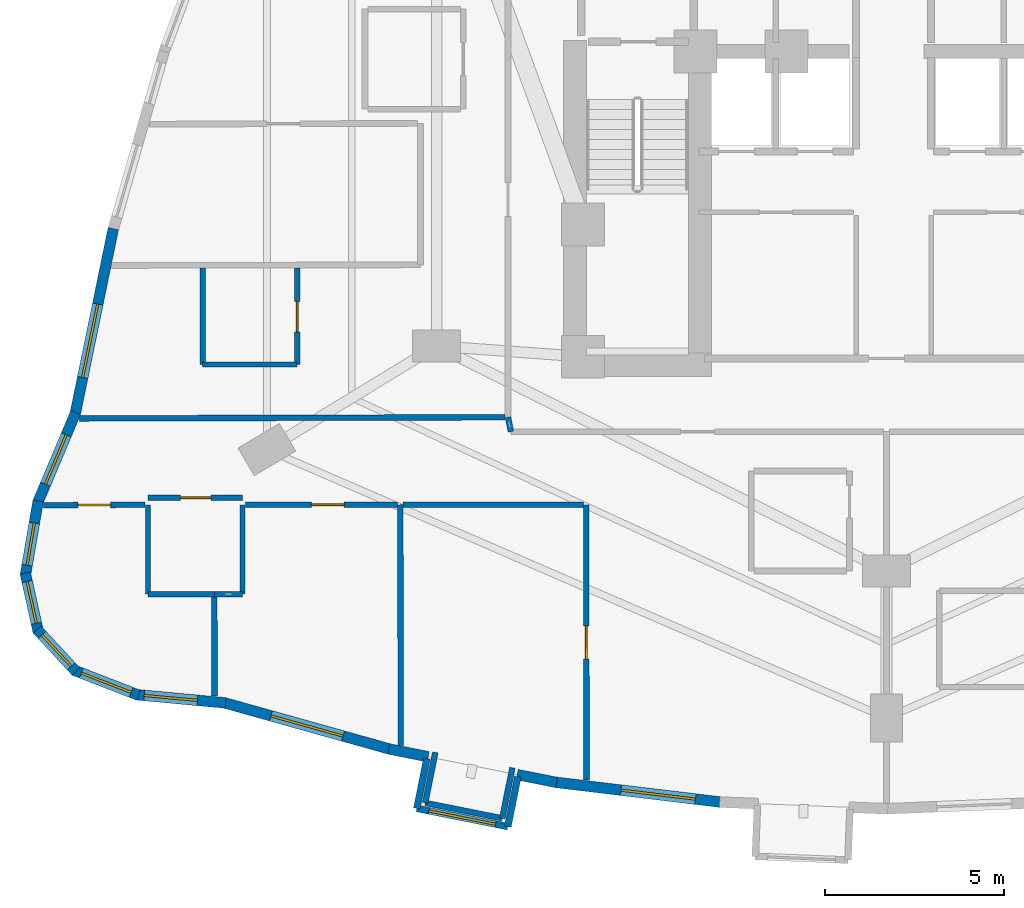
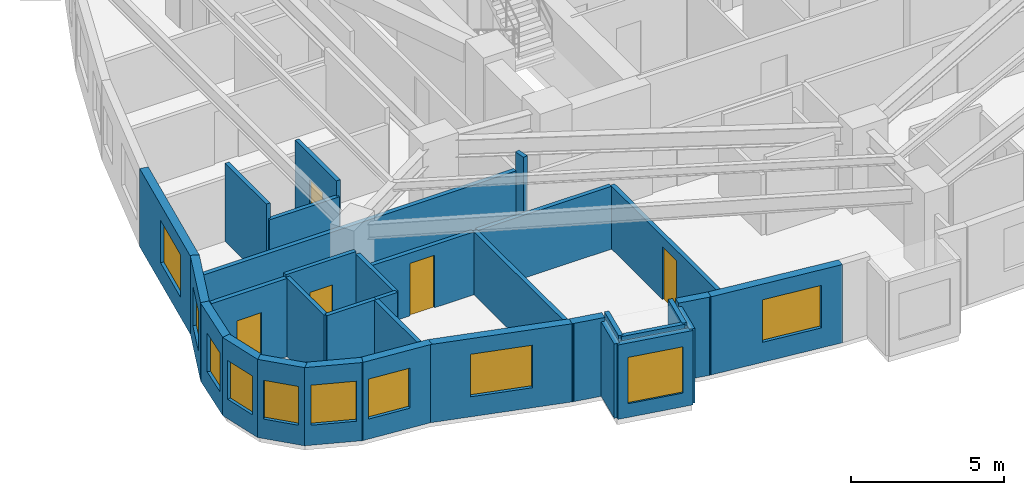
# One storey, part 8 of 15: 33 walls, 10 windows, 5 doors, 15 openings.
"""IFC4 building model written with IfcOpenShell, lengths in metres."""

from ifc_helpers import new_model, si_unit, direction, frame, frame_2d, origin, place, context, subcontext, project, spatial, rectangle, extrude, material, layer, layer_set, type_object, element, fill, save


model = new_model("IFC4")

# Units and contexts
model_context = context("Model", 3, precision=1e-05, world=origin(), true_north=direction((0.0, 1.0)))
body_context = subcontext(model_context, "Body", "Model", "MODEL_VIEW")
ifc_project = project(units=[si_unit("LENGTHUNIT", "METRE"), si_unit("AREAUNIT", "SQUARE_METRE"), si_unit("VOLUMEUNIT", "CUBIC_METRE"), si_unit("PLANEANGLEUNIT", "RADIAN"), si_unit("MASSUNIT", "GRAM", prefix="KILO")], contexts=[model_context])

# Site, building, storey
site_placement = place(None, origin())
site = spatial("IfcSite", under=ifc_project, at=site_placement, CompositionType="ELEMENT")
building_placement = place(site_placement, origin())
building = spatial("IfcBuilding", under=site, at=building_placement, Name="Miruveldt Soraemaru", CompositionType="ELEMENT")
storey_placement = place(building_placement, frame((0.0, 0.0, 83.60009765625)))
storey = spatial("IfcBuildingStorey", under=building, at=storey_placement, Name="L23", CompositionType="ELEMENT", Elevation=83.60009765625)

# Walls
ifc_material_1 = material(Name="White powder-coated aluminium EN AW-6060 T6", Category="aluminium")
ifc_layer_1 = layer(ifc_material_1, 0.18994140625, Name="White powder-coated aluminium EN AW-6060 T6", Category="aluminium")
ifc_layer_set_1 = layer_set([ifc_layer_1], Name="White powder-coated aluminium EN AW-6060 T6")
wall_type_1 = type_object("IfcWallType", Name="WALL-BAY-ALU190", PredefinedType="SOLIDWALL", material=ifc_layer_set_1)
for number, where, z_axis, x_axis, name in (
    (1, (31.123779296875, 24.244384765625, 0.0), (0.0, 0.0, 1.0), (-0.196182033934, -0.980567493629, 0.0), "L23 Bay Window Side Cheek 1L"),
    (2, (33.393798828125, 22.33740234375, 0.0), (0.0, 0.0, 1.0), (0.196017281962, 0.980600441144, 0.0), "L23 Bay Window Side Cheek 1R"),
):
    element("IfcWall", number, at=place(storey_placement, frame(where, z_axis=z_axis, x_axis=x_axis)), inside=storey, type_object=wall_type_1, Name=name, PredefinedType="SOLIDWALL", context=body_context, shape_type="SweptSolid", body=[
        extrude(rectangle(XDim=1.4248046875, YDim=0.18994140625, at=frame_2d((0.71240234375, 0.0))), origin(), (0.0, 0.0, 1.0), 2.974853515625),
    ])

# Wall, opening, window
wall_1_placement = place(storey_placement, frame((30.84423828125, 22.84716796875, 0.0), z_axis=(0.0, 0.0, 1.0), x_axis=(0.980591508741, -0.196061962104, 0.0)))
wall_1 = element("IfcWall", 3, at=wall_1_placement, inside=storey, type_object=wall_type_1, Name="L23 Bay Window Front Frame 1", PredefinedType="SOLIDWALL", context=body_context, shape_type="SweptSolid", body=[
    extrude(rectangle(XDim=2.60009765625, YDim=0.18994140625, at=frame_2d((1.300048828125, 0.0))), origin(), (0.0, 0.0, 1.0), 2.974853515625),
])
opening_1_placement = place(wall_1_placement, frame((0.35009765625, 0.0, 0.550048828125)))
opening_1 = element("IfcOpeningElement", 4, at=opening_1_placement, cuts=wall_1, Name="Opening WN-6", PredefinedType="OPENING", context=body_context, shape_type="SweptSolid", body=[
    extrude(rectangle(XDim=1.89990234375, YDim=1.85009765625, at=frame_2d((0.949951171875, 0.925048828125))), frame((0.0, 0.10498046875, 0.0), z_axis=(0.0, -1.0, 0.0), x_axis=(1.0, 0.0, 0.0)), (0.0, 0.0, 1.0), 0.2099609375),
])
ifc_material_2 = material(Name="Triple low-e insulated glazing", Category="glass")
window_type_1 = type_object("IfcWindowType", Name="WIN-BAYW-1900x1850", PartitioningType="SINGLE_PANEL", PredefinedType="WINDOW", material=ifc_material_2)
window_1_placement = place(opening_1_placement, origin())
window_1 = element("IfcWindow", 5, at=window_1_placement, inside=storey, type_object=window_type_1, Name="L23 Projecting Bay Window 1", OverallHeight=1.85009765625, OverallWidth=1.89990234375, PartitioningType="SINGLE_PANEL", PredefinedType="WINDOW", context=body_context, shape_type="SweptSolid", body=[
    extrude(rectangle(XDim=1.89990234375, YDim=1.85009765625, at=frame_2d((0.949951171875, 0.925048828125))), frame((0.0, 0.030029296875, 0.0), z_axis=(0.0, -1.0, 0.0), x_axis=(1.0, 0.0, 0.0)), (0.0, 0.0, 1.0), 0.06005859375),
])
fill(opening_1, window_1)

ifc_material_3 = material(Name="Precast concrete C45/55 (45 MPa)", Category="concrete")
ifc_layer_2 = layer(ifc_material_3, 0.300048828125, Name="Precast concrete C45/55 (45 MPa)", Category="concrete")
ifc_layer_set_2 = layer_set([ifc_layer_2], Name="Precast concrete C45/55 (45 MPa)")
wall_type_2 = type_object("IfcWallType", Name="WALL-EXT-PC300", PredefinedType="SOLIDWALL", material=ifc_layer_set_2)
wall_2_placement = place(storey_placement, frame((22.34326171875, 39.08984375, 0.0), z_axis=(0.0, 0.0, 1.0), x_axis=(-0.20158951894, -0.979470094415, 0.0)))
wall_2 = element("IfcWall", 6, at=wall_2_placement, inside=storey, type_object=wall_type_2, Name="L23 Precast Concrete Facade Wall 14", PredefinedType="SOLIDWALL", context=body_context, shape_type="SweptSolid", body=[
    extrude(rectangle(XDim=5.323974609375, YDim=0.300048828125, at=frame_2d((2.662109375, 0.0))), origin(), (0.0, 0.0, 1.0), 3.125),
])
opening_2_placement = place(wall_2_placement, frame((2.159912109375, 0.0, 0.800048828125)))
opening_2 = element("IfcOpeningElement", 7, at=opening_2_placement, cuts=wall_2, Name="Opening WN-1", PredefinedType="OPENING", context=body_context, shape_type="SweptSolid", body=[
    extrude(rectangle(XDim=2.10009765625, YDim=1.699951171875, at=frame_2d((1.050048828125, 0.85009765625))), frame((0.0, 0.16015625, 0.0), z_axis=(0.0, -1.0, 0.0), x_axis=(1.0, 0.0, 0.0)), (0.0, 0.0, 1.0), 0.320068359375),
])
window_type_2 = type_object("IfcWindowType", Name="WIN-PUNCH-2100x1700", PartitioningType="SINGLE_PANEL", PredefinedType="WINDOW", material=ifc_material_2)
window_2_placement = place(opening_2_placement, origin())
window_2 = element("IfcWindow", 8, at=window_2_placement, inside=storey, type_object=window_type_2, Name="L23 Punched Triple-Glazed Window 14.1", OverallHeight=1.699951171875, OverallWidth=2.10009765625, PartitioningType="SINGLE_PANEL", PredefinedType="WINDOW", context=body_context, shape_type="SweptSolid", body=[
    extrude(rectangle(XDim=2.10009765625, YDim=1.699951171875, at=frame_2d((1.050048828125, 0.85009765625))), frame((0.0, 0.030029296875, 0.0), z_axis=(0.0, -1.0, 0.0), x_axis=(1.0, 0.0, 0.0)), (0.0, 0.0, 1.0), 0.06005859375),
])
fill(opening_2, window_2)

wall_3_placement = place(storey_placement, frame((21.290771484375, 33.941650390625, 0.0), z_axis=(0.0, 0.0, 1.0), x_axis=(-0.38859128496, -0.921410230708, 0.0)))
wall_3 = element("IfcWall", 9, at=wall_3_placement, inside=storey, type_object=wall_type_2, Name="L23 Precast Concrete Facade Wall 15", PredefinedType="SOLIDWALL", context=body_context, shape_type="SweptSolid", body=[
    extrude(rectangle(XDim=2.757568359375, YDim=0.300048828125, at=frame_2d((1.37890625, 0.0))), origin(), (0.0, 0.0, 1.0), 3.125),
])
opening_3_placement = place(wall_3_placement, frame((0.68310546875, 0.0, 0.800048828125)))
opening_3 = element("IfcOpeningElement", 10, at=opening_3_placement, cuts=wall_3, Name="Opening WN-3", PredefinedType="OPENING", context=body_context, shape_type="SweptSolid", body=[
    extrude(rectangle(XDim=1.5, YDim=1.60009765625, at=frame_2d((0.75, 0.800048828125))), frame((0.0, 0.16015625, 0.0), z_axis=(0.0, -1.0, 0.0), x_axis=(1.0, 0.0, 0.0)), (0.0, 0.0, 1.0), 0.320068359375),
])
window_type_3 = type_object("IfcWindowType", Name="WIN-PUNCH-1500x1600", PartitioningType="SINGLE_PANEL", PredefinedType="WINDOW", material=ifc_material_2)
window_3_placement = place(opening_3_placement, origin())
window_3 = element("IfcWindow", 11, at=window_3_placement, inside=storey, type_object=window_type_3, Name="L23 Punched Triple-Glazed Window 15.1", OverallHeight=1.60009765625, OverallWidth=1.5, PartitioningType="SINGLE_PANEL", PredefinedType="WINDOW", context=body_context, shape_type="SweptSolid", body=[
    extrude(rectangle(XDim=1.5, YDim=1.60009765625, at=frame_2d((0.75, 0.800048828125))), frame((0.0, 0.030029296875, 0.0), z_axis=(0.0, -1.0, 0.0), x_axis=(1.0, 0.0, 0.0)), (0.0, 0.0, 1.0), 0.06005859375),
])
fill(opening_3, window_3)

wall_4_placement = place(storey_placement, frame((20.23876953125, 31.4677734375, 0.0), z_axis=(0.0, 0.0, 1.0), x_axis=(-0.169387729848, -0.985549489867, 0.0)))
wall_4 = element("IfcWall", 12, at=wall_4_placement, inside=storey, type_object=wall_type_2, Name="L23 Precast Concrete Facade Wall 16", PredefinedType="SOLIDWALL", context=body_context, shape_type="SweptSolid", body=[
    extrude(rectangle(XDim=2.1259765625, YDim=0.300048828125, at=frame_2d((1.06298828125, 0.0))), origin(), (0.0, 0.0, 1.0), 3.125),
])
opening_4_placement = place(wall_4_placement, frame((0.634033203125, 0.0, 0.780029296875)))
opening_4 = element("IfcOpeningElement", 13, at=opening_4_placement, cuts=wall_4, Name="Opening WN-4", PredefinedType="OPENING", context=body_context, shape_type="SweptSolid", body=[
    extrude(rectangle(XDim=1.199951171875, YDim=1.550048828125, at=frame_2d((0.60009765625, 0.77490234375))), frame((0.0, 0.16015625, 0.0), z_axis=(0.0, -1.0, 0.0), x_axis=(1.0, 0.0, 0.0)), (0.0, 0.0, 1.0), 0.320068359375),
])
window_type_4 = type_object("IfcWindowType", Name="WIN-PUNCH-1200x1550", PartitioningType="SINGLE_PANEL", PredefinedType="WINDOW", material=ifc_material_2)
window_4_placement = place(opening_4_placement, origin())
window_4 = element("IfcWindow", 14, at=window_4_placement, inside=storey, type_object=window_type_4, Name="L23 Punched Triple-Glazed Window 16.1", OverallHeight=1.550048828125, OverallWidth=1.199951171875, PartitioningType="SINGLE_PANEL", PredefinedType="WINDOW", context=body_context, shape_type="SweptSolid", body=[
    extrude(rectangle(XDim=1.199951171875, YDim=1.550048828125, at=frame_2d((0.60009765625, 0.77490234375))), frame((0.0, 0.030029296875, 0.0), z_axis=(0.0, -1.0, 0.0), x_axis=(1.0, 0.0, 0.0)), (0.0, 0.0, 1.0), 0.06005859375),
])
fill(opening_4, window_4)

wall_5_placement = place(storey_placement, frame((19.876953125, 29.44140625, 0.0), z_axis=(0.0, 0.0, 1.0), x_axis=(0.215871143304, -0.976421860411, 0.0)))
wall_5 = element("IfcWall", 15, at=wall_5_placement, inside=storey, type_object=wall_type_2, Name="L23 Precast Concrete Facade Wall 17", PredefinedType="SOLIDWALL", context=body_context, shape_type="SweptSolid", body=[
    extrude(rectangle(XDim=1.68408203125, YDim=0.300048828125, at=frame_2d((0.842041015625, 0.0))), origin(), (0.0, 0.0, 1.0), 3.125),
])
opening_5_placement = place(wall_5_placement, frame((0.241943359375, 0.0, 0.780029296875)))
opening_5 = element("IfcOpeningElement", 16, at=opening_5_placement, cuts=wall_5, Name="Opening WN-4", PredefinedType="OPENING", context=body_context, shape_type="SweptSolid", body=[
    extrude(rectangle(XDim=1.199951171875, YDim=1.550048828125, at=frame_2d((0.60009765625, 0.77490234375))), frame((0.0, 0.16015625, 0.0), z_axis=(0.0, -1.0, 0.0), x_axis=(1.0, 0.0, 0.0)), (0.0, 0.0, 1.0), 0.320068359375),
])
window_5_placement = place(opening_5_placement, origin())
window_5 = element("IfcWindow", 17, at=window_5_placement, inside=storey, type_object=window_type_4, Name="L23 Punched Triple-Glazed Window 17.1", OverallHeight=1.550048828125, OverallWidth=1.199951171875, PartitioningType="SINGLE_PANEL", PredefinedType="WINDOW", context=body_context, shape_type="SweptSolid", body=[
    extrude(rectangle(XDim=1.199951171875, YDim=1.550048828125, at=frame_2d((0.60009765625, 0.77490234375))), frame((0.0, 0.030029296875, 0.0), z_axis=(0.0, -1.0, 0.0), x_axis=(1.0, 0.0, 0.0)), (0.0, 0.0, 1.0), 0.06005859375),
])
fill(opening_5, window_5)

wall_6_placement = place(storey_placement, frame((20.208984375, 27.85693359375, 0.0), z_axis=(0.0, 0.0, 1.0), x_axis=(0.680153593671, -0.733069634493, 0.0)))
wall_6 = element("IfcWall", 18, at=wall_6_placement, inside=storey, type_object=wall_type_2, Name="L23 Precast Concrete Facade Wall 18", PredefinedType="SOLIDWALL", context=body_context, shape_type="SweptSolid", body=[
    extrude(rectangle(XDim=1.60546875, YDim=0.300048828125, at=frame_2d((0.802734375, 0.0))), origin(), (0.0, 0.0, 1.0), 3.125),
])
opening_6_placement = place(wall_6_placement, frame((0.202880859375, 0.0, 0.780029296875)))
opening_6 = element("IfcOpeningElement", 19, at=opening_6_placement, cuts=wall_6, Name="Opening WN-4", PredefinedType="OPENING", context=body_context, shape_type="SweptSolid", body=[
    extrude(rectangle(XDim=1.199951171875, YDim=1.550048828125, at=frame_2d((0.60009765625, 0.77490234375))), frame((0.0, 0.16015625, 0.0), z_axis=(0.0, -1.0, 0.0), x_axis=(1.0, 0.0, 0.0)), (0.0, 0.0, 1.0), 0.320068359375),
])
window_6_placement = place(opening_6_placement, origin())
window_6 = element("IfcWindow", 20, at=window_6_placement, inside=storey, type_object=window_type_4, Name="L23 Punched Triple-Glazed Window 18.1", OverallHeight=1.550048828125, OverallWidth=1.199951171875, PartitioningType="SINGLE_PANEL", PredefinedType="WINDOW", context=body_context, shape_type="SweptSolid", body=[
    extrude(rectangle(XDim=1.199951171875, YDim=1.550048828125, at=frame_2d((0.60009765625, 0.77490234375))), frame((0.0, 0.030029296875, 0.0), z_axis=(0.0, -1.0, 0.0), x_axis=(1.0, 0.0, 0.0)), (0.0, 0.0, 1.0), 0.06005859375),
])
fill(opening_6, window_6)

wall_7_placement = place(storey_placement, frame((21.24462890625, 26.718505859375, 0.0), z_axis=(0.0, 0.0, 1.0), x_axis=(0.932226848531, -0.36187442971, 0.0)))
wall_7 = element("IfcWall", 21, at=wall_7_placement, inside=storey, type_object=wall_type_2, Name="L23 Precast Concrete Facade Wall 19", PredefinedType="SOLIDWALL", context=body_context, shape_type="SweptSolid", body=[
    extrude(rectangle(XDim=1.93701171875, YDim=0.300048828125, at=frame_2d((0.968505859375, 0.0))), origin(), (0.0, 0.0, 1.0), 3.125),
])
opening_7_placement = place(wall_7_placement, frame((0.218017578125, 0.0, 0.800048828125)))
opening_7 = element("IfcOpeningElement", 22, at=opening_7_placement, cuts=wall_7, Name="Opening WN-3", PredefinedType="OPENING", context=body_context, shape_type="SweptSolid", body=[
    extrude(rectangle(XDim=1.5, YDim=1.60009765625, at=frame_2d((0.75, 0.800048828125))), frame((0.0, 0.16015625, 0.0), z_axis=(0.0, -1.0, 0.0), x_axis=(1.0, 0.0, 0.0)), (0.0, 0.0, 1.0), 0.320068359375),
])
window_7_placement = place(opening_7_placement, origin())
window_7 = element("IfcWindow", 23, at=window_7_placement, inside=storey, type_object=window_type_3, Name="L23 Punched Triple-Glazed Window 19.1", OverallHeight=1.60009765625, OverallWidth=1.5, PartitioningType="SINGLE_PANEL", PredefinedType="WINDOW", context=body_context, shape_type="SweptSolid", body=[
    extrude(rectangle(XDim=1.5, YDim=1.60009765625, at=frame_2d((0.75, 0.800048828125))), frame((0.0, 0.030029296875, 0.0), z_axis=(0.0, -1.0, 0.0), x_axis=(1.0, 0.0, 0.0)), (0.0, 0.0, 1.0), 0.06005859375),
])
fill(opening_7, window_7)

wall_8_placement = place(storey_placement, frame((22.98291015625, 26.03369140625, 0.0), z_axis=(0.0, 0.0, 1.0), x_axis=(0.995756157786, -0.092030833048, 0.0)))
wall_8 = element("IfcWall", 24, at=wall_8_placement, inside=storey, type_object=wall_type_2, Name="L23 Precast Concrete Facade Wall 20", PredefinedType="SOLIDWALL", context=body_context, shape_type="SweptSolid", body=[
    extrude(rectangle(XDim=2.517578125, YDim=0.300048828125, at=frame_2d((1.2587890625, 0.0))), origin(), (0.0, 0.0, 1.0), 3.125),
])
opening_8_placement = place(wall_8_placement, frame((0.22607421875, 0.0, 0.800048828125)))
opening_8 = element("IfcOpeningElement", 25, at=opening_8_placement, cuts=wall_8, Name="Opening WN-3", PredefinedType="OPENING", context=body_context, shape_type="SweptSolid", body=[
    extrude(rectangle(XDim=1.5, YDim=1.60009765625, at=frame_2d((0.75, 0.800048828125))), frame((0.0, 0.16015625, 0.0), z_axis=(0.0, -1.0, 0.0), x_axis=(1.0, 0.0, 0.0)), (0.0, 0.0, 1.0), 0.320068359375),
])
window_8_placement = place(opening_8_placement, origin())
window_8 = element("IfcWindow", 26, at=window_8_placement, inside=storey, type_object=window_type_3, Name="L23 Punched Triple-Glazed Window 20.1", OverallHeight=1.60009765625, OverallWidth=1.5, PartitioningType="SINGLE_PANEL", PredefinedType="WINDOW", context=body_context, shape_type="SweptSolid", body=[
    extrude(rectangle(XDim=1.5, YDim=1.60009765625, at=frame_2d((0.75, 0.800048828125))), frame((0.0, 0.030029296875, 0.0), z_axis=(0.0, -1.0, 0.0), x_axis=(1.0, 0.0, 0.0)), (0.0, 0.0, 1.0), 0.06005859375),
])
fill(opening_8, window_8)

wall_9_placement = place(storey_placement, frame((25.421142578125, 25.814697265625, 0.0), z_axis=(0.0, 0.0, 1.0), x_axis=(0.962970248778, -0.269607677873, 0.0)))
wall_9 = element("IfcWall", 27, at=wall_9_placement, inside=storey, type_object=wall_type_2, Name="L23 Precast Concrete Facade Wall 21", PredefinedType="SOLIDWALL", context=body_context, shape_type="SweptSolid", body=[
    extrude(rectangle(XDim=4.884521484375, YDim=0.300048828125, at=frame_2d((2.4423828125, 0.0))), origin(), (0.0, 0.0, 1.0), 3.125),
])
opening_9_placement = place(wall_9_placement, frame((1.387939453125, 0.0, 0.800048828125)))
opening_9 = element("IfcOpeningElement", 28, at=opening_9_placement, cuts=wall_9, Name="Opening WN-1", PredefinedType="OPENING", context=body_context, shape_type="SweptSolid", body=[
    extrude(rectangle(XDim=2.10009765625, YDim=1.699951171875, at=frame_2d((1.050048828125, 0.85009765625))), frame((0.0, 0.16015625, 0.0), z_axis=(0.0, -1.0, 0.0), x_axis=(1.0, 0.0, 0.0)), (0.0, 0.0, 1.0), 0.320068359375),
])
window_9_placement = place(opening_9_placement, origin())
window_9 = element("IfcWindow", 29, at=window_9_placement, inside=storey, type_object=window_type_2, Name="L23 Punched Triple-Glazed Window 21.1", OverallHeight=1.699951171875, OverallWidth=2.10009765625, PartitioningType="SINGLE_PANEL", PredefinedType="WINDOW", context=body_context, shape_type="SweptSolid", body=[
    extrude(rectangle(XDim=2.10009765625, YDim=1.699951171875, at=frame_2d((1.050048828125, 0.85009765625))), frame((0.0, 0.030029296875, 0.0), z_axis=(0.0, -1.0, 0.0), x_axis=(1.0, 0.0, 0.0)), (0.0, 0.0, 1.0), 0.06005859375),
])
fill(opening_9, window_9)

# Walls
wall_10_placement = place(storey_placement, frame((30.056884765625, 24.513916015625, 0.0), z_axis=(0.0, 0.0, 1.0), x_axis=(0.980572356697, -0.196157725524, 0.0)))
element("IfcWall", 30, at=wall_10_placement, inside=storey, type_object=wall_type_2, Name="L23 Precast Pier Wall 22A", PredefinedType="SOLIDWALL", context=body_context, shape_type="SweptSolid", body=[
    extrude(rectangle(XDim=1.12890625, YDim=0.300048828125, at=frame_2d((0.564453125, 0.0))), origin(), (0.0, 0.0, 1.0), 3.125),
])
wall_11_placement = place(storey_placement, frame((33.654541015625, 23.79443359375, 0.0), z_axis=(0.0, 0.0, 1.0), x_axis=(0.980580675691, -0.196116135138, 0.0)))
element("IfcWall", 31, at=wall_11_placement, inside=storey, type_object=wall_type_2, Name="L23 Precast Pier Wall 22B", PredefinedType="SOLIDWALL", context=body_context, shape_type="SweptSolid", body=[
    extrude(rectangle(XDim=1.129150390625, YDim=0.300048828125, at=frame_2d((0.564453125, 0.0))), origin(), (0.0, 0.0, 1.0), 3.125),
])

# Wall, opening, window
wall_12_placement = place(storey_placement, frame((34.692626953125, 23.583984375, 0.0), z_axis=(0.0, 0.0, 1.0), x_axis=(0.992876838487, -0.119145220618, 0.0)))
wall_12 = element("IfcWall", 32, at=wall_12_placement, inside=storey, type_object=wall_type_2, Name="L23 Precast Concrete Facade Wall 23", PredefinedType="SOLIDWALL", context=body_context, shape_type="SweptSolid", body=[
    extrude(rectangle(XDim=4.739501953125, YDim=0.300048828125, at=frame_2d((2.36962890625, 0.0))), origin(), (0.0, 0.0, 1.0), 3.125),
])
opening_10_placement = place(wall_12_placement, frame((1.885986328125, 0.0, 0.800048828125)))
opening_10 = element("IfcOpeningElement", 33, at=opening_10_placement, cuts=wall_12, Name="Opening WN-1", PredefinedType="OPENING", context=body_context, shape_type="SweptSolid", body=[
    extrude(rectangle(XDim=2.10009765625, YDim=1.699951171875, at=frame_2d((1.050048828125, 0.85009765625))), frame((0.0, 0.16015625, 0.0), z_axis=(0.0, -1.0, 0.0), x_axis=(1.0, 0.0, 0.0)), (0.0, 0.0, 1.0), 0.320068359375),
])
window_10_placement = place(opening_10_placement, origin())
window_10 = element("IfcWindow", 34, at=window_10_placement, inside=storey, type_object=window_type_2, Name="L23 Punched Triple-Glazed Window 23.1", OverallHeight=1.699951171875, OverallWidth=2.10009765625, PartitioningType="SINGLE_PANEL", PredefinedType="WINDOW", context=body_context, shape_type="SweptSolid", body=[
    extrude(rectangle(XDim=2.10009765625, YDim=1.699951171875, at=frame_2d((1.050048828125, 0.85009765625))), frame((0.0, 0.030029296875, 0.0), z_axis=(0.0, -1.0, 0.0), x_axis=(1.0, 0.0, 0.0)), (0.0, 0.0, 1.0), 0.06005859375),
])
fill(opening_10, window_10)

# Wall, opening, door
ifc_material_4 = material(Name="Gypsum plasterboard lining", Category="gypsum")
ifc_layer_3 = layer(ifc_material_4, 0.14990234375, Name="Gypsum plasterboard lining", Category="gypsum")
ifc_layer_set_3 = layer_set([ifc_layer_3], Name="Gypsum plasterboard lining")
wall_type_3 = type_object("IfcWallType", Name="WALL-INT-PLUMB", PredefinedType="PLUMBINGWALL", material=ifc_layer_set_3)
wall_13_placement = place(storey_placement, frame((27.4951171875, 35.283935546875, 0.0), z_axis=(0.0, 0.0, 1.0), x_axis=(0.0, 1.0, 0.0)))
wall_13 = element("IfcWall", 35, at=wall_13_placement, inside=storey, type_object=wall_type_3, Name="L23 Partition Wall 68", PredefinedType="PLUMBINGWALL", context=body_context, shape_type="SweptSolid", body=[
    extrude(rectangle(XDim=2.699951171875, YDim=0.14990234375, at=frame_2d((1.35009765625, 0.0))), origin(), (0.0, 0.0, 1.0), 3.125),
])
opening_11_placement = place(wall_13_placement, frame((0.909912109375, 0.0, 0.0)))
opening_11 = element("IfcOpeningElement", 36, at=opening_11_placement, cuts=wall_13, Name="Opening FD3", PredefinedType="OPENING", context=body_context, shape_type="SweptSolid", body=[
    extrude(rectangle(XDim=0.85009765625, YDim=2.10009765625, at=frame_2d((0.425048828125, 1.050048828125))), frame((0.0, 0.0849609375, 0.0), z_axis=(0.0, -1.0, 0.0), x_axis=(1.0, 0.0, 0.0)), (0.0, 0.0, 1.0), 0.169921875),
])
ifc_material_5 = material(Name="Anodised aluminium EN AW-6063 T6", Category="aluminium")
door_type_1 = type_object("IfcDoorType", Name="DOOR-FD3-850", OperationType="NOTDEFINED", PredefinedType="DOOR", material=ifc_material_5)
door_1_placement = place(opening_11_placement, origin())
door_1 = element("IfcDoor", 37, at=door_1_placement, inside=storey, type_object=door_type_1, Name="L23 Unit 2306 BTH Door", OperationType="SINGLE_SWING_LEFT", OverallHeight=2.10009765625, OverallWidth=0.85009765625, PredefinedType="DOOR", context=body_context, shape_type="SweptSolid", body=[
    extrude(rectangle(XDim=0.85009765625, YDim=2.10009765625, at=frame_2d((0.425048828125, 1.050048828125))), frame((0.0, 0.02490234375, 0.0), z_axis=(0.0, -1.0, 0.0), x_axis=(1.0, 0.0, 0.0)), (0.0, 0.0, 1.0), 0.050048828125),
])
fill(opening_11, door_1)

wall_14_placement = place(storey_placement, frame((25.964111328125, 31.550048828125, 0.0), z_axis=(0.0, 0.0, 1.0), x_axis=(-1.0, 0.0, 0.0)))
wall_14 = element("IfcWall", 38, at=wall_14_placement, inside=storey, type_object=wall_type_3, Name="L23 Partition Wall 51", PredefinedType="PLUMBINGWALL", context=body_context, shape_type="SweptSolid", body=[
    extrude(rectangle(XDim=2.650146484375, YDim=0.14990234375, at=frame_2d((1.3251953125, 0.0))), origin(), (0.0, 0.0, 1.0), 3.125),
])
opening_12_placement = place(wall_14_placement, frame((0.885009765625, 0.0, 0.0)))
opening_12 = element("IfcOpeningElement", 39, at=opening_12_placement, cuts=wall_14, Name="Opening FD3", PredefinedType="OPENING", context=body_context, shape_type="SweptSolid", body=[
    extrude(rectangle(XDim=0.85009765625, YDim=2.10009765625, at=frame_2d((0.425048828125, 1.050048828125))), frame((0.0, 0.0849609375, 0.0), z_axis=(0.0, -1.0, 0.0), x_axis=(1.0, 0.0, 0.0)), (0.0, 0.0, 1.0), 0.169921875),
])
door_2_placement = place(opening_12_placement, origin())
door_2 = element("IfcDoor", 40, at=door_2_placement, inside=storey, type_object=door_type_1, Name="L23 Unit 2305 BTH Door", OperationType="SINGLE_SWING_LEFT", OverallHeight=2.10009765625, OverallWidth=0.85009765625, PredefinedType="DOOR", context=body_context, shape_type="SweptSolid", body=[
    extrude(rectangle(XDim=0.85009765625, YDim=2.10009765625, at=frame_2d((0.425048828125, 1.050048828125))), frame((0.0, 0.02490234375, 0.0), z_axis=(0.0, -1.0, 0.0), x_axis=(1.0, 0.0, 0.0)), (0.0, 0.0, 1.0), 0.050048828125),
])
fill(opening_12, door_2)

# Walls
wall_15_placement = place(storey_placement, frame((24.844970703125, 37.98388671875, 0.0), z_axis=(0.0, 0.0, 1.0), x_axis=(0.0, -1.0, 0.0)))
element("IfcWall", 41, at=wall_15_placement, inside=storey, type_object=wall_type_3, Name="L23 Partition Wall 69", PredefinedType="PLUMBINGWALL", context=body_context, shape_type="SweptSolid", body=[
    extrude(rectangle(XDim=2.699951171875, YDim=0.14990234375, at=frame_2d((1.35009765625, 0.0))), origin(), (0.0, 0.0, 1.0), 3.125),
])
wall_16_placement = place(storey_placement, frame((24.844970703125, 35.283935546875, 0.0), z_axis=(0.0, 0.0, 1.0), x_axis=(1.0, 0.0, 0.0)))
element("IfcWall", 42, at=wall_16_placement, inside=storey, type_object=wall_type_3, Name="L23 Partition Wall 70", PredefinedType="PLUMBINGWALL", context=body_context, shape_type="SweptSolid", body=[
    extrude(rectangle(XDim=2.650146484375, YDim=0.14990234375, at=frame_2d((1.3251953125, 0.0))), origin(), (0.0, 0.0, 1.0), 2.512939453125),
])
for number, where, z_axis, x_axis, name in (
    (43, (23.31396484375, 31.35400390625, 0.0), (0.0, 0.0, 1.0), (0.0, -1.0, 0.0), "L23 Partition Wall 62"),
    (44, (25.964111328125, 28.85009765625, 0.0), (0.0, 0.0, 1.0), (0.0, 1.0, 0.0), "L23 Partition Wall 65"),
):
    element("IfcWall", number, at=place(storey_placement, frame(where, z_axis=z_axis, x_axis=x_axis)), inside=storey, type_object=wall_type_3, Name=name, PredefinedType="PLUMBINGWALL", context=body_context, shape_type="SweptSolid", body=[
        extrude(rectangle(XDim=2.50390625, YDim=0.14990234375, at=frame_2d((1.251953125, 0.0))), origin(), (0.0, 0.0, 1.0), 3.125),
    ])
wall_17_placement = place(storey_placement, frame((23.31396484375, 28.85009765625, 0.0), z_axis=(0.0, 0.0, 1.0), x_axis=(1.0, 0.0, 0.0)))
element("IfcWall", 45, at=wall_17_placement, inside=storey, type_object=wall_type_3, Name="L23 Partition Wall 63", PredefinedType="PLUMBINGWALL", context=body_context, shape_type="SweptSolid", body=[
    extrude(rectangle(XDim=1.859130859375, YDim=0.14990234375, at=frame_2d((0.9296875, 0.0))), origin(), (0.0, 0.0, 1.0), 3.125),
])
wall_18_placement = place(storey_placement, frame((25.173095703125, 28.85009765625, 0.0), z_axis=(0.0, 0.0, 1.0), x_axis=(1.0, 0.0, 0.0)))
element("IfcWall", 46, at=wall_18_placement, inside=storey, type_object=wall_type_3, Name="L23 Partition Wall 64", PredefinedType="PLUMBINGWALL", context=body_context, shape_type="SweptSolid", body=[
    extrude(rectangle(XDim=0.791015625, YDim=0.14990234375, at=frame_2d((0.3955078125, 0.0))), origin(), (0.0, 0.0, 1.0), 3.125),
])

# Wall, opening, door
ifc_material_6 = material(Name="Concrete C40/50 (40 MPa)", Category="concrete")
ifc_layer_4 = layer(ifc_material_6, 0.159912109375, Name="Concrete C40/50 (40 MPa)", Category="concrete")
ifc_layer_set_4 = layer_set([ifc_layer_4], Name="Concrete C40/50 (40 MPa)")
wall_type_4 = type_object("IfcWallType", Name="WALL-INT-RC160", PredefinedType="SOLIDWALL", material=ifc_layer_set_4)
wall_19_placement = place(storey_placement, frame((35.587890625, 31.35400390625, 0.0), z_axis=(0.0, 0.0, 1.0), x_axis=(0.001297960158, -0.999999157649, 0.0)))
wall_19 = element("IfcWall", 47, at=wall_19_placement, inside=storey, type_object=wall_type_4, Name="L23 Partition Wall 59", PredefinedType="SOLIDWALL", context=body_context, shape_type="SweptSolid", body=[
    extrude(rectangle(XDim=7.7119140625, YDim=0.159912109375, at=frame_2d((3.85595703125, 0.0))), origin(), (0.0, 0.0, 1.0), 2.512939453125),
])
opening_13_placement = place(wall_19_placement, frame((3.39599609375, 0.0, 0.0)))
opening_13 = element("IfcOpeningElement", 48, at=opening_13_placement, cuts=wall_19, Name="Opening D3A", PredefinedType="OPENING", context=body_context, shape_type="SweptSolid", body=[
    extrude(rectangle(XDim=0.919921875, YDim=2.10009765625, at=frame_2d((0.4599609375, 1.050048828125))), frame((0.0, 0.08984375, 0.0), z_axis=(0.0, -1.0, 0.0), x_axis=(1.0, 0.0, 0.0)), (0.0, 0.0, 1.0), 0.179931640625),
])
door_type_2 = type_object("IfcDoorType", Name="DOOR-INT-920", OperationType="NOTDEFINED", PredefinedType="DOOR", material=ifc_material_5)
door_3_placement = place(opening_13_placement, origin())
door_3 = element("IfcDoor", 49, at=door_3_placement, inside=storey, type_object=door_type_2, Name="L23 Unit 2305 BD3 Door", OperationType="SINGLE_SWING_LEFT", OverallHeight=2.10009765625, OverallWidth=0.919921875, PredefinedType="DOOR", context=body_context, shape_type="SweptSolid", body=[
    extrude(rectangle(XDim=0.919921875, YDim=2.10009765625, at=frame_2d((0.4599609375, 1.050048828125))), frame((0.0, 0.02490234375, 0.0), z_axis=(0.0, -1.0, 0.0), x_axis=(1.0, 0.0, 0.0)), (0.0, 0.0, 1.0), 0.050048828125),
])
fill(opening_13, door_3)

wall_20_placement = place(storey_placement, frame((26.0439453125, 31.35400390625, 0.0), z_axis=(0.0, 0.0, 1.0), x_axis=(1.0, 0.0, 0.0)))
wall_20 = element("IfcWall", 50, at=wall_20_placement, inside=storey, type_object=wall_type_4, Name="L23 Partition Wall 57", PredefinedType="SOLIDWALL", context=body_context, shape_type="SweptSolid", body=[
    extrude(rectangle(XDim=4.257080078125, YDim=0.159912109375, at=frame_2d((2.12841796875, 0.0))), origin(), (0.0, 0.0, 1.0), 2.512939453125),
])
opening_14_placement = place(wall_20_placement, frame((1.847900390625, 0.0, 0.0)))
opening_14 = element("IfcOpeningElement", 51, at=opening_14_placement, cuts=wall_20, Name="Opening D3A", PredefinedType="OPENING", context=body_context, shape_type="SweptSolid", body=[
    extrude(rectangle(XDim=0.919921875, YDim=2.10009765625, at=frame_2d((0.4599609375, 1.050048828125))), frame((0.0, 0.08984375, 0.0), z_axis=(0.0, -1.0, 0.0), x_axis=(1.0, 0.0, 0.0)), (0.0, 0.0, 1.0), 0.179931640625),
])
door_4_placement = place(opening_14_placement, origin())
door_4 = element("IfcDoor", 52, at=door_4_placement, inside=storey, type_object=door_type_2, Name="L23 Unit 2305 BD2 Door", OperationType="SINGLE_SWING_RIGHT", OverallHeight=2.10009765625, OverallWidth=0.919921875, PredefinedType="DOOR", context=body_context, shape_type="SweptSolid", body=[
    extrude(rectangle(XDim=0.919921875, YDim=2.10009765625, at=frame_2d((0.4599609375, 1.050048828125))), frame((0.0, 0.02490234375, 0.0), z_axis=(0.0, -1.0, 0.0), x_axis=(1.0, 0.0, 0.0)), (0.0, 0.0, 1.0), 0.050048828125),
])
fill(opening_14, door_4)

wall_21_placement = place(storey_placement, frame((20.384033203125, 31.340087890625, 0.0), z_axis=(0.0, 0.0, 1.0), x_axis=(0.999988078059, 0.004883005264, 0.0)))
wall_21 = element("IfcWall", 53, at=wall_21_placement, inside=storey, type_object=wall_type_4, Name="L23 Partition Wall 56", PredefinedType="SOLIDWALL", context=body_context, shape_type="SweptSolid", body=[
    extrude(rectangle(XDim=2.849853515625, YDim=0.159912109375, at=frame_2d((1.4248046875, 0.0))), origin(), (0.0, 0.0, 1.0), 3.125),
])
opening_15_placement = place(wall_21_placement, frame((0.965087890625, 0.0, 0.0)))
opening_15 = element("IfcOpeningElement", 54, at=opening_15_placement, cuts=wall_21, Name="Opening D3A", PredefinedType="OPENING", context=body_context, shape_type="SweptSolid", body=[
    extrude(rectangle(XDim=0.919921875, YDim=2.10009765625, at=frame_2d((0.4599609375, 1.050048828125))), frame((0.0, 0.08984375, 0.0), z_axis=(0.0, -1.0, 0.0), x_axis=(1.0, 0.0, 0.0)), (0.0, 0.0, 1.0), 0.179931640625),
])
door_5_placement = place(opening_15_placement, origin())
door_5 = element("IfcDoor", 55, at=door_5_placement, inside=storey, type_object=door_type_2, Name="L23 Unit 2305 BD1 Door", OperationType="SINGLE_SWING_LEFT", OverallHeight=2.10009765625, OverallWidth=0.919921875, PredefinedType="DOOR", context=body_context, shape_type="SweptSolid", body=[
    extrude(rectangle(XDim=0.919921875, YDim=2.10009765625, at=frame_2d((0.4599609375, 1.050048828125))), frame((0.0, 0.02490234375, 0.0), z_axis=(0.0, -1.0, 0.0), x_axis=(1.0, 0.0, 0.0)), (0.0, 0.0, 1.0), 0.050048828125),
])
fill(opening_15, door_5)

# Walls
wall_22_placement = place(storey_placement, frame((33.31689453125, 33.803955078125, 0.0), z_axis=(0.0, 0.0, 1.0), x_axis=(-0.999996399899, -0.002683316845, 0.0)))
element("IfcWall", 56, at=wall_22_placement, inside=storey, type_object=wall_type_4, Name="L23 Partition Wall 60", PredefinedType="SOLIDWALL", context=body_context, shape_type="SweptSolid", body=[
    extrude(rectangle(XDim=11.9189453125, YDim=0.159912109375, at=frame_2d((5.95947265625, 0.0))), origin(), (0.0, 0.0, 1.0), 2.412841796875),
])
wall_23_placement = place(storey_placement, frame((30.39794921875, 24.614013671875, 0.0), z_axis=(0.0, 0.0, 1.0), x_axis=(-0.002499358296, 0.999996876599, 0.0)))
element("IfcWall", 57, at=wall_23_placement, inside=storey, type_object=wall_type_4, Name="L23 Partition Wall 67", PredefinedType="SOLIDWALL", context=body_context, shape_type="SweptSolid", body=[
    extrude(rectangle(XDim=6.739990234375, YDim=0.159912109375, at=frame_2d((3.3701171875, 0.0))), origin(), (0.0, 0.0, 1.0), 2.512939453125),
])
wall_24_placement = place(storey_placement, frame((30.4609375, 31.35400390625, 0.0), z_axis=(0.0, 0.0, 1.0), x_axis=(1.0, 0.0, 0.0)))
element("IfcWall", 58, at=wall_24_placement, inside=storey, type_object=wall_type_4, Name="L23 Partition Wall 58", PredefinedType="SOLIDWALL", context=body_context, shape_type="SweptSolid", body=[
    extrude(rectangle(XDim=5.047119140625, YDim=0.159912109375, at=frame_2d((2.5234375, 0.0))), origin(), (0.0, 0.0, 1.0), 2.512939453125),
])
wall_25_placement = place(storey_placement, frame((25.180908203125, 25.99609375, 0.0), z_axis=(0.0, 0.0, 1.0), x_axis=(-0.002737372122, 0.99999625339, 0.0)))
element("IfcWall", 59, at=wall_25_placement, inside=storey, type_object=wall_type_4, Name="L23 Partition Wall 66", PredefinedType="SOLIDWALL", context=body_context, shape_type="SweptSolid", body=[
    extrude(rectangle(XDim=2.85400390625, YDim=0.159912109375, at=frame_2d((1.427001953125, 0.0))), origin(), (0.0, 0.0, 1.0), 3.125),
])
wall_26_placement = place(storey_placement, frame((33.237060546875, 22.572998046875, 0.0), z_axis=(0.0, 0.0, 1.0), x_axis=(-0.980623342083, 0.195902682374, 0.0)))
element("IfcWall", 60, at=wall_26_placement, inside=storey, type_object=wall_type_4, Name="L23 Partition Wall 96", PredefinedType="SOLIDWALL", context=body_context, shape_type="SweptSolid", body=[
    extrude(rectangle(XDim=2.19970703125, YDim=0.159912109375, at=frame_2d((1.099853515625, 0.0))), origin(), (0.0, 0.0, 1.0), 3.125),
])
wall_27_placement = place(storey_placement, frame((31.080078125, 23.00390625, 0.0), z_axis=(0.0, 0.0, 1.0), x_axis=(0.195823697056, 0.980639117959, 0.0)))
element("IfcWall", 61, at=wall_27_placement, inside=storey, type_object=wall_type_4, Name="L23 Partition Wall 97", PredefinedType="SOLIDWALL", context=body_context, shape_type="SweptSolid", body=[
    extrude(rectangle(XDim=1.445068359375, YDim=0.159912109375, at=frame_2d((0.72265625, 0.0))), origin(), (0.0, 0.0, 1.0), 3.125),
])
wall_28_placement = place(storey_placement, frame((33.52099609375, 23.989013671875, 0.0), z_axis=(0.0, 0.0, 1.0), x_axis=(-0.19660375165, -0.980483026287, 0.0)))
element("IfcWall", 62, at=wall_28_placement, inside=storey, type_object=wall_type_4, Name="L23 Partition Wall 98", PredefinedType="SOLIDWALL", context=body_context, shape_type="SweptSolid", body=[
    extrude(rectangle(XDim=1.444091796875, YDim=0.159912109375, at=frame_2d((0.72216796875, 0.0))), origin(), (0.0, 0.0, 1.0), 3.125),
])
wall_29_placement = place(storey_placement, frame((33.47998046875, 33.39990234375, 0.0), z_axis=(0.0, 0.0, 1.0), x_axis=(-0.193059018518, 0.981187145946, 0.0)))
element("IfcWall", 63, at=wall_29_placement, inside=storey, type_object=wall_type_4, Name="L23 Partition Closure Return 1", PredefinedType="SOLIDWALL", context=body_context, shape_type="SweptSolid", body=[
    extrude(rectangle(XDim=0.414794921875, YDim=0.159912109375, at=frame_2d((0.20751953125, 0.0))), origin(), (0.0, 0.0, 1.0), 3.125),
])

save(model, "model.ifc")
